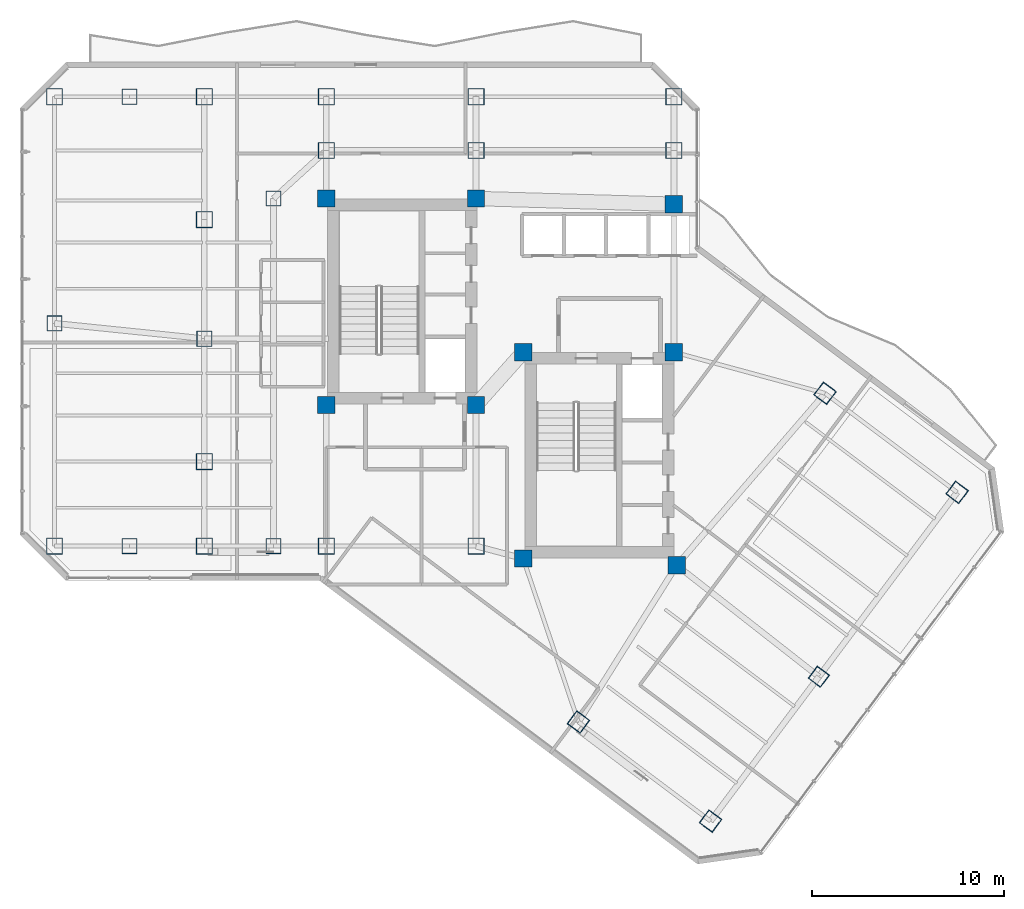
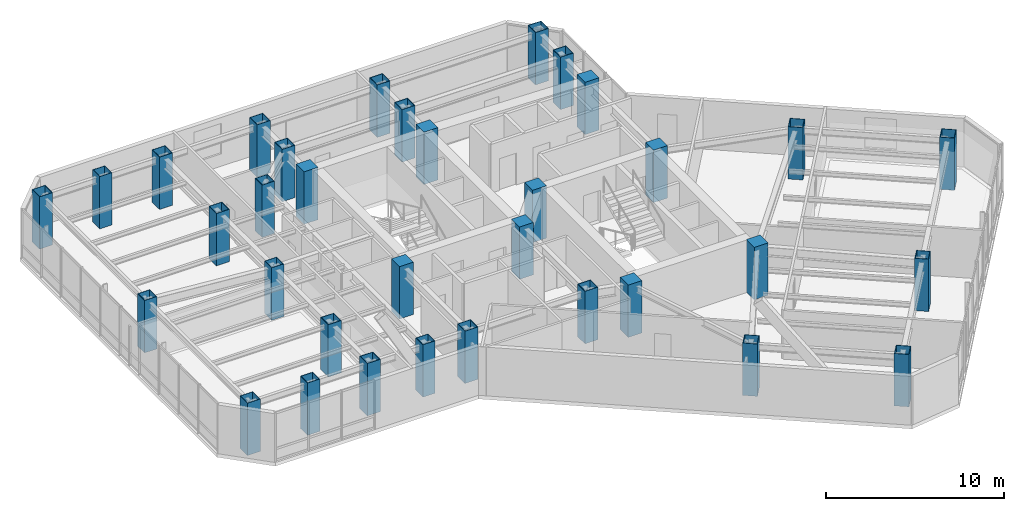
# One storey, part 1 of 28: 34 columns.
"""IFC4 building model written with IfcOpenShell, lengths in metres."""

from ifc_helpers import new_model, si_unit, direction, frame, origin, origin_2d, place, context, subcontext, project, spatial, rectangle, hollow_rectangle, extrude, material, material_profile, profile_set, type_object, element, save


model = new_model("IFC4")

# Units and contexts
model_context = context("Model", 3, precision=1e-05, world=origin(), true_north=direction((0.0, 1.0)))
body_context = subcontext(model_context, "Body", "Model", "MODEL_VIEW")
ifc_project = project(units=[si_unit("LENGTHUNIT", "METRE"), si_unit("AREAUNIT", "SQUARE_METRE"), si_unit("VOLUMEUNIT", "CUBIC_METRE"), si_unit("PLANEANGLEUNIT", "RADIAN"), si_unit("MASSUNIT", "GRAM", prefix="KILO")], contexts=[model_context])

# Site, building, storey
site_placement = place(None, origin())
site = spatial("IfcSite", under=ifc_project, at=site_placement, CompositionType="ELEMENT")
building_placement = place(site_placement, origin())
building = spatial("IfcBuilding", under=site, at=building_placement, Name="Hatsunagi Terrace Concourse", CompositionType="ELEMENT")
storey_placement = place(building_placement, frame((0.0, 0.0, 138.449951171875)))
storey = spatial("IfcBuildingStorey", under=building, at=storey_placement, Name="L36", CompositionType="ELEMENT", Elevation=138.449951171875)

# Columns
ifc_material_1 = material(Name="Concrete Fc48", Category="concrete")
ifc_material_profile_1 = material_profile(ifc_material_1, rectangle(XDim=0.89990234375, YDim=0.89990234375, at=origin_2d()), Name="RC-900x900")
ifc_profile_set_1 = profile_set([ifc_material_profile_1], Name="Concrete Fc48")
column_type_1 = type_object("IfcColumnType", Name="CoreColumn_RC_900x900", PredefinedType="COLUMN", material=ifc_profile_set_1)
for number, where, z_axis, x_axis, name in (
    (1, (25.550048828125, 32.550048828125, 0.0), (0.0, 0.0, 1.0), (1.0, 0.0, 0.0), "Column C-02 L36-CASW"),
    (2, (33.35009765625, 32.550048828125, 0.0), (0.0, 0.0, 1.0), (1.0, 0.0, 0.0), "Column C-02 L36-CASE"),
    (3, (25.550048828125, 43.300048828125, 0.0), (0.0, 0.0, 1.0), (1.0, 0.0, 0.0), "Column C-02 L36-CANW"),
    (4, (33.35009765625, 43.300048828125, 0.0), (0.0, 0.0, 1.0), (1.0, 0.0, 0.0), "Column C-02 L36-CANE"),
    (5, (35.800048828125, 24.550048828125, 0.0), (0.0, 0.0, 1.0), (1.0, 0.0, 0.0), "Column C-02 L36-CBSW"),
    (6, (43.800048828125, 24.199951171875, 0.0), (0.0, 0.0, 1.0), (1.0, 0.0, 0.0), "Column C-02 L36-CBSE"),
    (7, (35.800048828125, 35.300048828125, 0.0), (0.0, 0.0, 1.0), (1.0, 0.0, 0.0), "Column C-02 L36-CBNW"),
    (8, (43.64990234375, 35.300048828125, 0.0), (0.0, 0.0, 1.0), (1.0, 0.0, 0.0), "Column C-02 L36-CBNE"),
    (9, (43.64990234375, 43.0, 0.0), (0.0, 0.0, 1.0), (1.0, 0.0, 0.0), "Column C-02 L36-K3"),
):
    element("IfcColumn", number, at=place(storey_placement, frame(where, z_axis=z_axis, x_axis=x_axis)), inside=storey, type_object=column_type_1, Name=name, PredefinedType="COLUMN", context=body_context, shape_type="SweptSolid", body=[
        extrude(rectangle(XDim=0.89990234375, YDim=0.89990234375, at=origin_2d()), origin(), (0.0, 0.0, 1.0), 3.60009765625),
    ])
ifc_material_2 = material(Name="Steel BCP325T", Category="steel")
ifc_material_profile_2 = material_profile(ifc_material_2, hollow_rectangle(XDim=0.800048828125, YDim=0.800048828125, WallThickness=0.031982421875, at=origin_2d()), Name="BCP-800x800x32")
ifc_profile_set_2 = profile_set([ifc_material_profile_2], Name="Steel BCP325T")
column_type_2 = type_object("IfcColumnType", Name="TowerBoxColumn_800x800x32", PredefinedType="COLUMN", material=ifc_profile_set_2)
for number, where, z_axis, x_axis, name in (
    (10, (22.800048828125, 25.199951171875, 0.0), (0.0, 0.0, 1.0), (1.0, 0.0, 0.0), "Column C-06 L36-CW1"),
    (11, (22.800048828125, 43.300048828125, 0.0), (0.0, 0.0, 1.0), (1.0, 0.0, 0.0), "Column C-06 L36-CW2"),
    (12, (11.39990234375, 36.800048828125, 0.0), (0.0, 0.0, 1.0), (1.0, 0.0, 0.0), "Column C-06 L36-WT1"),
    (13, (19.199951171875, 36.0, 0.0), (0.0, 0.0, 1.0), (1.0, 0.0, 0.0), "Column C-06 L36-WT2"),
    (14, (15.300048828125, 25.199951171875, 0.0), (0.0, 0.0, 1.0), (1.0, 0.0, 0.0), "Column C-06 L36-WT3"),
    (15, (15.300048828125, 48.60009765625, 0.0), (0.0, 0.0, 1.0), (1.0, 0.0, 0.0), "Column C-06 L36-WT4"),
    (16, (51.199951171875, 18.39990234375, 0.0), (0.0, 0.0, 1.0), (0.799999996291, -0.600000004945, 0.0), "Column C-06 L36-SEM2"),
):
    element("IfcColumn", number, at=place(storey_placement, frame(where, z_axis=z_axis, x_axis=x_axis)), inside=storey, type_object=column_type_2, Name=name, PredefinedType="COLUMN", context=body_context, shape_type="SweptSolid", body=[
        extrude(hollow_rectangle(XDim=0.800048828125, YDim=0.800048828125, WallThickness=0.031982421875, at=origin_2d()), origin(), (0.0, 0.0, 1.0), 3.60009765625),
    ])
ifc_material_3 = material(Name="Steel BCP325T", Category="steel")
ifc_material_profile_3 = material_profile(ifc_material_3, hollow_rectangle(XDim=0.85009765625, YDim=0.85009765625, WallThickness=0.031982421875, at=origin_2d()), Name="BCP-850x850x32")
ifc_profile_set_3 = profile_set([ifc_material_profile_3], Name="Steel BCP325T")
column_type_3 = type_object("IfcColumnType", Name="TowerBoxColumn_850x850x32", PredefinedType="COLUMN", material=ifc_profile_set_3)
for number, where, z_axis, x_axis, name in (
    (17, (25.550048828125, 25.199951171875, 0.0), (0.0, 0.0, 1.0), (1.0, 0.0, 0.0), "Column C-05 L36-K1"),
    (18, (33.35009765625, 25.199951171875, 0.0), (0.0, 0.0, 1.0), (1.0, 0.0, 0.0), "Column C-05 L36-K2"),
    (19, (25.550048828125, 45.800048828125, 0.0), (0.0, 0.0, 1.0), (1.0, 0.0, 0.0), "Column C-05 L36-CN1"),
    (20, (33.35009765625, 45.800048828125, 0.0), (0.0, 0.0, 1.0), (1.0, 0.0, 0.0), "Column C-05 L36-CN2"),
    (21, (43.64990234375, 45.800048828125, 0.0), (0.0, 0.0, 1.0), (1.0, 0.0, 0.0), "Column C-05 L36-CN3"),
    (22, (11.39990234375, 25.199951171875, 0.0), (0.0, 0.0, 1.0), (1.0, 0.0, 0.0), "Column C-05 L36-WS2"),
    (23, (11.39990234375, 48.60009765625, 0.0), (0.0, 0.0, 1.0), (1.0, 0.0, 0.0), "Column C-05 L36-WN2"),
    (24, (19.199951171875, 48.60009765625, 0.0), (0.0, 0.0, 1.0), (1.0, 0.0, 0.0), "Column C-05 L36-WN3"),
    (25, (25.550048828125, 48.60009765625, 0.0), (0.0, 0.0, 1.0), (1.0, 0.0, 0.0), "Column C-05 L36-WN4"),
    (26, (33.35009765625, 48.60009765625, 0.0), (0.0, 0.0, 1.0), (1.0, 0.0, 0.0), "Column C-05 L36-WN5"),
    (27, (43.64990234375, 48.60009765625, 0.0), (0.0, 0.0, 1.0), (1.0, 0.0, 0.0), "Column C-05 L36-WN6"),
    (28, (19.199951171875, 25.199951171875, 0.0), (0.0, 0.0, 1.0), (1.0, 0.0, 0.0), "Column C-05 L36-WS3"),
    (29, (19.199951171875, 29.60009765625, 0.0), (0.0, 0.0, 1.0), (1.0, 0.0, 0.0), "Column C-05 L36-WR1"),
    (30, (19.199951171875, 42.199951171875, 0.0), (0.0, 0.0, 1.0), (1.0, 0.0, 0.0), "Column C-05 L36-WR2"),
    (31, (38.679931640625, 16.0400390625, 0.0), (0.0, 0.0, 1.0), (0.799999996291, -0.600000004945, 0.0), "Column C-05 L36-SES1"),
    (32, (51.52001953125, 33.159912109375, 0.0), (0.0, 0.0, 1.0), (0.799999996291, -0.600000004945, 0.0), "Column C-05 L36-SEN1"),
    (33, (45.56005859375, 10.8798828125, 0.0), (0.0, 0.0, 1.0), (0.799999996291, -0.600000004945, 0.0), "Column C-05 L36-SES2"),
    (34, (58.39990234375, 28.0, 0.0), (0.0, 0.0, 1.0), (0.799999996291, -0.600000004945, 0.0), "Column C-05 L36-SEN2"),
):
    element("IfcColumn", number, at=place(storey_placement, frame(where, z_axis=z_axis, x_axis=x_axis)), inside=storey, type_object=column_type_3, Name=name, PredefinedType="COLUMN", context=body_context, shape_type="SweptSolid", body=[
        extrude(hollow_rectangle(XDim=0.85009765625, YDim=0.85009765625, WallThickness=0.031982421875, at=origin_2d()), origin(), (0.0, 0.0, 1.0), 3.60009765625),
    ])

save(model, "model.ifc")
